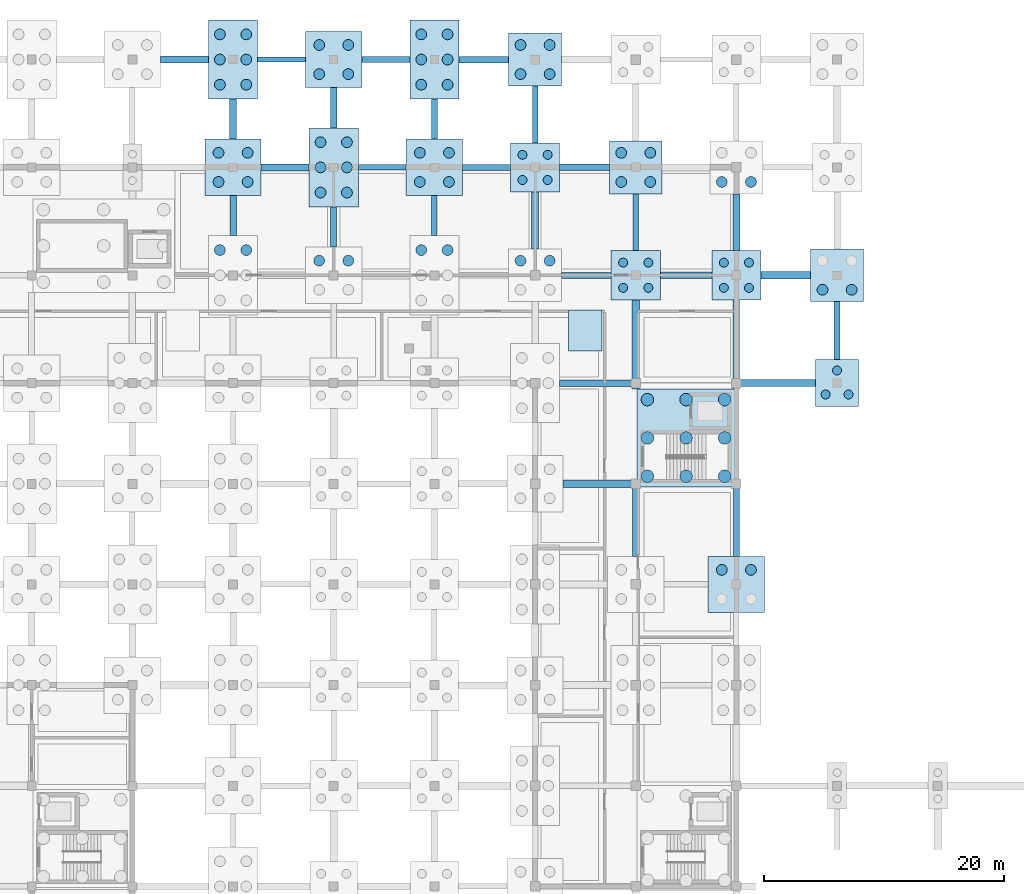
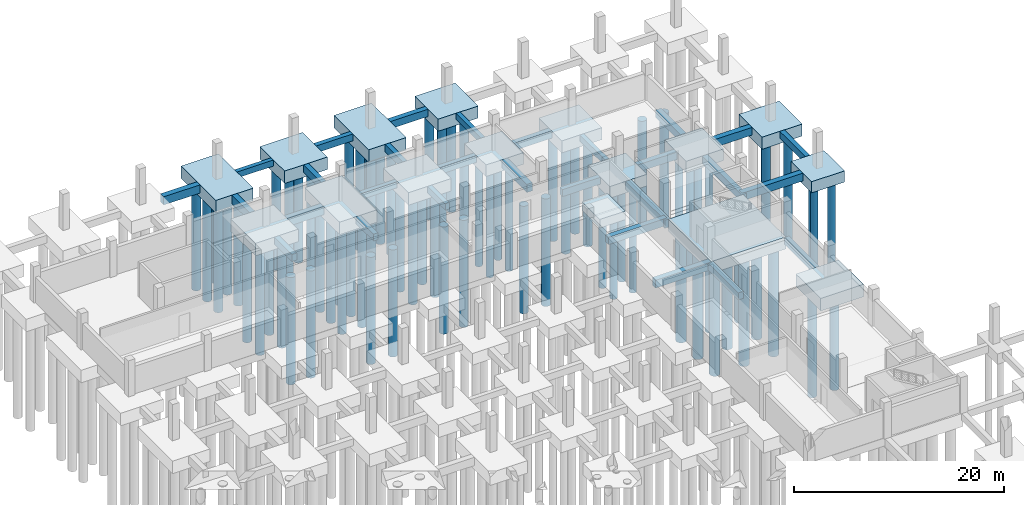
# One storey, part 8 of 20: 76 piles, 45 footings.
"""IFC4 building model written with IfcOpenShell, lengths in metres."""

from ifc_helpers import new_model, si_unit, direction, frame, origin, origin_2d, place, context, subcontext, project, spatial, rectangle, circle, extrude, material, material_profile, profile_set, type_object, element, save


model = new_model("IFC4")

# Units and contexts
model_context = context("Model", 3, precision=1e-05, world=origin(), true_north=direction((0.0, 1.0)))
body_context = subcontext(model_context, "Body", "Model", "MODEL_VIEW")
ifc_project = project(units=[si_unit("LENGTHUNIT", "METRE"), si_unit("AREAUNIT", "SQUARE_METRE"), si_unit("VOLUMEUNIT", "CUBIC_METRE"), si_unit("PLANEANGLEUNIT", "RADIAN"), si_unit("MASSUNIT", "GRAM", prefix="KILO")], contexts=[model_context])

# Site, building, storey
site_placement = place(None, origin())
site = spatial("IfcSite", under=ifc_project, at=site_placement, CompositionType="ELEMENT")
building_placement = place(site_placement, origin())
building = spatial("IfcBuilding", under=site, at=building_placement, Name="Vireocrest Preparatory School", CompositionType="ELEMENT")
storey_placement = place(building_placement, frame((0.0, 0.0, -4.199951171875)))
storey = spatial("IfcBuildingStorey", under=building, at=storey_placement, Name="B01", CompositionType="ELEMENT", Elevation=-4.199951171875)

# Piles
ifc_material = material(Name="Concrete 40 MPa", Category="concrete")
ifc_material_profile_1 = material_profile(ifc_material, circle(Radius=0.52490234375, at=origin_2d()), Name="BORED PILE 1050")
ifc_profile_set_1 = profile_set([ifc_material_profile_1], Name="Concrete 40 MPa")
pile_type_1 = type_object("IfcPileType", Name="Bored Concrete Pile 1050", PredefinedType="BORED", material=ifc_profile_set_1)
for number, where, z_axis, x_axis, name in (
    (1, (101.77490234375, 78.02490234375, -1.300048828125), (0.0, 0.0, -1.0), (1.0, 0.0, 0.0), "Bored Pile P04 Core K4-1"),
    (2, (101.77490234375, 81.22509765625, -1.300048828125), (0.0, 0.0, -1.0), (1.0, 0.0, 0.0), "Bored Pile P04 Core K4-2"),
    (3, (101.77490234375, 84.425048828125, -1.300048828125), (0.0, 0.0, -1.0), (1.0, 0.0, 0.0), "Bored Pile P04 Core K4-3"),
    (4, (105.0, 78.02490234375, -1.300048828125), (0.0, 0.0, -1.0), (1.0, 0.0, 0.0), "Bored Pile P04 Core K4-4"),
    (5, (105.0, 81.22509765625, -1.300048828125), (0.0, 0.0, -1.0), (1.0, 0.0, 0.0), "Bored Pile P04 Core K4-5"),
    (6, (105.0, 84.425048828125, -1.300048828125), (0.0, 0.0, -1.0), (1.0, 0.0, 0.0), "Bored Pile P04 Core K4-6"),
    (7, (108.22509765625, 78.02490234375, -1.300048828125), (0.0, 0.0, -1.0), (1.0, 0.0, 0.0), "Bored Pile P04 Core K4-7"),
    (8, (108.22509765625, 81.22509765625, -1.300048828125), (0.0, 0.0, -1.0), (1.0, 0.0, 0.0), "Bored Pile P04 Core K4-8"),
    (9, (108.22509765625, 84.425048828125, -1.300048828125), (0.0, 0.0, -1.0), (1.0, 0.0, 0.0), "Bored Pile P04 Core K4-9"),
):
    element("IfcPile", number, at=place(storey_placement, frame(where, z_axis=z_axis, x_axis=x_axis)), inside=storey, type_object=pile_type_1, Name=name, PredefinedType="BORED", context=body_context, shape_type="SweptSolid", body=[
        extrude(circle(Radius=0.52490234375, at=origin_2d()), origin(), (0.0, 0.0, 1.0), 12.5),
    ])
ifc_material_profile_2 = material_profile(ifc_material, circle(Radius=0.375, at=origin_2d()), Name="BORED PILE 750")
ifc_profile_set_2 = profile_set([ifc_material_profile_2], Name="Concrete 40 MPa")
pile_type_2 = type_object("IfcPileType", Name="Bored Concrete Pile 750", PredefinedType="BORED", material=ifc_profile_set_2)
for number, where, z_axis, x_axis, name in (
    (10, (91.35009765625, 102.75, -1.25), (0.0, 0.0, -1.0), (1.0, 0.0, 0.0), "Bored Pile P02 111-1"),
    (11, (93.449951171875, 102.75, -1.25), (0.0, 0.0, -1.0), (1.0, 0.0, 0.0), "Bored Pile P02 111-2"),
    (12, (91.35009765625, 104.85009765625, -1.25), (0.0, 0.0, -1.0), (1.0, 0.0, 0.0), "Bored Pile P02 111-3"),
    (13, (93.449951171875, 104.85009765625, -1.25), (0.0, 0.0, -1.0), (1.0, 0.0, 0.0), "Bored Pile P02 111-4"),
    (14, (99.75, 93.75, -1.25), (0.0, 0.0, -1.0), (1.0, 0.0, 0.0), "Bored Pile P02 123-1"),
    (15, (101.85009765625, 93.75, -1.25), (0.0, 0.0, -1.0), (1.0, 0.0, 0.0), "Bored Pile P02 123-2"),
    (16, (99.75, 95.85009765625, -1.25), (0.0, 0.0, -1.0), (1.0, 0.0, 0.0), "Bored Pile P02 123-3"),
    (17, (101.85009765625, 95.85009765625, -1.25), (0.0, 0.0, -1.0), (1.0, 0.0, 0.0), "Bored Pile P02 123-4"),
    (18, (108.14990234375, 93.75, -1.25), (0.0, 0.0, -1.0), (1.0, 0.0, 0.0), "Bored Pile P02 137-1"),
    (19, (110.25, 93.75, -1.25), (0.0, 0.0, -1.0), (1.0, 0.0, 0.0), "Bored Pile P02 137-2"),
    (20, (108.14990234375, 95.85009765625, -1.25), (0.0, 0.0, -1.0), (1.0, 0.0, 0.0), "Bored Pile P02 137-3"),
    (21, (110.25, 95.85009765625, -1.25), (0.0, 0.0, -1.0), (1.0, 0.0, 0.0), "Bored Pile P02 137-4"),
):
    element("IfcPile", number, at=place(storey_placement, frame(where, z_axis=z_axis, x_axis=x_axis)), inside=storey, type_object=pile_type_2, Name=name, PredefinedType="BORED", context=body_context, shape_type="SweptSolid", body=[
        extrude(circle(Radius=0.375, at=origin_2d()), origin(), (0.0, 0.0, 1.0), 12.550048828125),
    ])
for number, where, z_axis, x_axis, name in (
    (22, (116.64990234375, 84.85009765625, -1.199951171875), (0.0, 0.0, -1.0), (1.0, 0.0, 0.0), "Bored Pile P02 145-1"),
    (23, (118.550048828125, 84.85009765625, -1.199951171875), (0.0, 0.0, -1.0), (1.0, 0.0, 0.0), "Bored Pile P02 145-2"),
    (24, (117.60009765625, 86.85009765625, -1.199951171875), (0.0, 0.0, -1.0), (1.0, 0.0, 0.0), "Bored Pile P02 145-3"),
):
    element("IfcPile", number, at=place(storey_placement, frame(where, z_axis=z_axis, x_axis=x_axis)), inside=storey, type_object=pile_type_2, Name=name, PredefinedType="BORED", context=body_context, shape_type="SweptSolid", body=[
        extrude(circle(Radius=0.375, at=origin_2d()), origin(), (0.0, 0.0, 1.0), 12.60009765625),
    ])
ifc_material_profile_3 = material_profile(ifc_material, circle(Radius=0.449951171875, at=origin_2d()), Name="BORED PILE 900")
ifc_profile_set_3 = profile_set([ifc_material_profile_3], Name="Concrete 40 MPa")
pile_type_3 = type_object("IfcPileType", Name="Bored Concrete Pile 900", PredefinedType="BORED", material=ifc_profile_set_3)
for number, where, z_axis, x_axis, name in (
    (25, (66.10009765625, 96.89990234375, -1.35009765625), (0.0, 0.0, -1.0), (1.0, 0.0, 0.0), "Bored Pile P03 071-5"),
    (26, (68.300048828125, 96.89990234375, -1.35009765625), (0.0, 0.0, -1.0), (1.0, 0.0, 0.0), "Bored Pile P03 071-6"),
    (27, (65.985107421875, 102.5849609375, -1.35009765625), (0.0, 0.0, -1.0), (1.0, 0.0, 0.0), "Bored Pile P03 072-1"),
    (28, (68.4150390625, 102.5849609375, -1.35009765625), (0.0, 0.0, -1.0), (1.0, 0.0, 0.0), "Bored Pile P03 072-2"),
    (29, (65.985107421875, 105.014892578125, -1.35009765625), (0.0, 0.0, -1.0), (1.0, 0.0, 0.0), "Bored Pile P03 072-3"),
    (30, (68.4150390625, 105.014892578125, -1.35009765625), (0.0, 0.0, -1.0), (1.0, 0.0, 0.0), "Bored Pile P03 072-4"),
    (31, (66.10009765625, 110.699951171875, -1.35009765625), (0.0, 0.0, -1.0), (1.0, 0.0, 0.0), "Bored Pile P03 073-1"),
    (32, (68.300048828125, 110.699951171875, -1.35009765625), (0.0, 0.0, -1.0), (1.0, 0.0, 0.0), "Bored Pile P03 073-2"),
    (33, (66.10009765625, 112.800048828125, -1.35009765625), (0.0, 0.0, -1.0), (1.0, 0.0, 0.0), "Bored Pile P03 073-3"),
    (34, (68.300048828125, 112.800048828125, -1.35009765625), (0.0, 0.0, -1.0), (1.0, 0.0, 0.0), "Bored Pile P03 073-4"),
    (35, (66.10009765625, 114.89990234375, -1.35009765625), (0.0, 0.0, -1.0), (1.0, 0.0, 0.0), "Bored Pile P03 073-5"),
    (36, (68.300048828125, 114.89990234375, -1.35009765625), (0.0, 0.0, -1.0), (1.0, 0.0, 0.0), "Bored Pile P03 073-6"),
    (37, (74.385009765625, 96.014892578125, -1.35009765625), (0.0, 0.0, -1.0), (1.0, 0.0, 0.0), "Bored Pile P03 084-3"),
    (38, (76.81494140625, 96.014892578125, -1.35009765625), (0.0, 0.0, -1.0), (1.0, 0.0, 0.0), "Bored Pile P03 084-4"),
    (39, (74.5, 101.699951171875, -1.35009765625), (0.0, 0.0, -1.0), (1.0, 0.0, 0.0), "Bored Pile P03 085-1"),
    (40, (76.699951171875, 101.699951171875, -1.35009765625), (0.0, 0.0, -1.0), (1.0, 0.0, 0.0), "Bored Pile P03 085-2"),
    (41, (74.5, 103.800048828125, -1.35009765625), (0.0, 0.0, -1.0), (1.0, 0.0, 0.0), "Bored Pile P03 085-3"),
    (42, (76.699951171875, 103.800048828125, -1.35009765625), (0.0, 0.0, -1.0), (1.0, 0.0, 0.0), "Bored Pile P03 085-4"),
    (43, (74.5, 105.89990234375, -1.35009765625), (0.0, 0.0, -1.0), (1.0, 0.0, 0.0), "Bored Pile P03 085-5"),
    (44, (76.699951171875, 105.89990234375, -1.35009765625), (0.0, 0.0, -1.0), (1.0, 0.0, 0.0), "Bored Pile P03 085-6"),
    (45, (74.385009765625, 111.5849609375, -1.35009765625), (0.0, 0.0, -1.0), (1.0, 0.0, 0.0), "Bored Pile P03 086-1"),
    (46, (76.81494140625, 111.5849609375, -1.35009765625), (0.0, 0.0, -1.0), (1.0, 0.0, 0.0), "Bored Pile P03 086-2"),
    (47, (74.385009765625, 114.014892578125, -1.35009765625), (0.0, 0.0, -1.0), (1.0, 0.0, 0.0), "Bored Pile P03 086-3"),
    (48, (76.81494140625, 114.014892578125, -1.35009765625), (0.0, 0.0, -1.0), (1.0, 0.0, 0.0), "Bored Pile P03 086-4"),
    (49, (82.89990234375, 96.89990234375, -1.35009765625), (0.0, 0.0, -1.0), (1.0, 0.0, 0.0), "Bored Pile P03 097-5"),
    (50, (85.10009765625, 96.89990234375, -1.35009765625), (0.0, 0.0, -1.0), (1.0, 0.0, 0.0), "Bored Pile P03 097-6"),
    (51, (82.784912109375, 102.5849609375, -1.35009765625), (0.0, 0.0, -1.0), (1.0, 0.0, 0.0), "Bored Pile P03 098-1"),
    (52, (85.215087890625, 102.5849609375, -1.35009765625), (0.0, 0.0, -1.0), (1.0, 0.0, 0.0), "Bored Pile P03 098-2"),
    (53, (82.784912109375, 105.014892578125, -1.35009765625), (0.0, 0.0, -1.0), (1.0, 0.0, 0.0), "Bored Pile P03 098-3"),
    (54, (85.215087890625, 105.014892578125, -1.35009765625), (0.0, 0.0, -1.0), (1.0, 0.0, 0.0), "Bored Pile P03 098-4"),
    (55, (82.89990234375, 110.699951171875, -1.35009765625), (0.0, 0.0, -1.0), (1.0, 0.0, 0.0), "Bored Pile P03 099-1"),
    (56, (85.10009765625, 110.699951171875, -1.35009765625), (0.0, 0.0, -1.0), (1.0, 0.0, 0.0), "Bored Pile P03 099-2"),
    (57, (82.89990234375, 112.800048828125, -1.35009765625), (0.0, 0.0, -1.0), (1.0, 0.0, 0.0), "Bored Pile P03 099-3"),
    (58, (85.10009765625, 112.800048828125, -1.35009765625), (0.0, 0.0, -1.0), (1.0, 0.0, 0.0), "Bored Pile P03 099-4"),
    (59, (82.89990234375, 114.89990234375, -1.35009765625), (0.0, 0.0, -1.0), (1.0, 0.0, 0.0), "Bored Pile P03 099-5"),
    (60, (85.10009765625, 114.89990234375, -1.35009765625), (0.0, 0.0, -1.0), (1.0, 0.0, 0.0), "Bored Pile P03 099-6"),
):
    element("IfcPile", number, at=place(storey_placement, frame(where, z_axis=z_axis, x_axis=x_axis)), inside=storey, type_object=pile_type_3, Name=name, PredefinedType="BORED", context=body_context, shape_type="SweptSolid", body=[
        extrude(circle(Radius=0.449951171875, at=origin_2d()), origin(), (0.0, 0.0, 1.0), 12.449951171875),
    ])
for number, where, z_axis, x_axis, name in (
    (61, (91.18505859375, 96.014892578125, -1.300048828125), (0.0, 0.0, -1.0), (1.0, 0.0, 0.0), "Bored Pile P03 110-3"),
    (62, (93.614990234375, 96.014892578125, -1.300048828125), (0.0, 0.0, -1.0), (1.0, 0.0, 0.0), "Bored Pile P03 110-4"),
    (63, (91.18505859375, 111.5849609375, -1.300048828125), (0.0, 0.0, -1.0), (1.0, 0.0, 0.0), "Bored Pile P03 112-1"),
    (64, (93.614990234375, 111.5849609375, -1.300048828125), (0.0, 0.0, -1.0), (1.0, 0.0, 0.0), "Bored Pile P03 112-2"),
    (65, (91.18505859375, 114.014892578125, -1.300048828125), (0.0, 0.0, -1.0), (1.0, 0.0, 0.0), "Bored Pile P03 112-3"),
    (66, (93.614990234375, 114.014892578125, -1.300048828125), (0.0, 0.0, -1.0), (1.0, 0.0, 0.0), "Bored Pile P03 112-4"),
    (67, (99.5849609375, 102.5849609375, -1.300048828125), (0.0, 0.0, -1.0), (1.0, 0.0, 0.0), "Bored Pile P03 124-1"),
    (68, (102.014892578125, 102.5849609375, -1.300048828125), (0.0, 0.0, -1.0), (1.0, 0.0, 0.0), "Bored Pile P03 124-2"),
    (69, (99.5849609375, 105.014892578125, -1.300048828125), (0.0, 0.0, -1.0), (1.0, 0.0, 0.0), "Bored Pile P03 124-3"),
    (70, (102.014892578125, 105.014892578125, -1.300048828125), (0.0, 0.0, -1.0), (1.0, 0.0, 0.0), "Bored Pile P03 124-4"),
):
    element("IfcPile", number, at=place(storey_placement, frame(where, z_axis=z_axis, x_axis=x_axis)), inside=storey, type_object=pile_type_3, Name=name, PredefinedType="BORED", context=body_context, shape_type="SweptSolid", body=[
        extrude(circle(Radius=0.449951171875, at=origin_2d()), origin(), (0.0, 0.0, 1.0), 12.5),
    ])
for number, where, z_axis, x_axis, name in (
    (71, (107.985107421875, 70.215087890625, -1.35009765625), (0.0, 0.0, -1.0), (1.0, 0.0, 0.0), "Bored Pile P03 134-3"),
    (72, (110.4150390625, 70.215087890625, -1.35009765625), (0.0, 0.0, -1.0), (1.0, 0.0, 0.0), "Bored Pile P03 134-4"),
):
    element("IfcPile", number, at=place(storey_placement, frame(where, z_axis=z_axis, x_axis=x_axis)), inside=storey, type_object=pile_type_3, Name=name, PredefinedType="BORED", context=body_context, shape_type="SweptSolid", body=[
        extrude(circle(Radius=0.449951171875, at=origin_2d()), origin(), (0.0, 0.0, 1.0), 12.449951171875),
    ])
for number, where, z_axis, x_axis, name in (
    (73, (107.985107421875, 102.5849609375, -1.300048828125), (0.0, 0.0, -1.0), (1.0, 0.0, 0.0), "Bored Pile P03 138-1"),
    (74, (110.4150390625, 102.5849609375, -1.300048828125), (0.0, 0.0, -1.0), (1.0, 0.0, 0.0), "Bored Pile P03 138-2"),
    (75, (116.385009765625, 93.5849609375, -1.300048828125), (0.0, 0.0, -1.0), (1.0, 0.0, 0.0), "Bored Pile P03 146-1"),
    (76, (118.81494140625, 93.5849609375, -1.300048828125), (0.0, 0.0, -1.0), (1.0, 0.0, 0.0), "Bored Pile P03 146-2"),
):
    element("IfcPile", number, at=place(storey_placement, frame(where, z_axis=z_axis, x_axis=x_axis)), inside=storey, type_object=pile_type_3, Name=name, PredefinedType="BORED", context=body_context, shape_type="SweptSolid", body=[
        extrude(circle(Radius=0.449951171875, at=origin_2d()), origin(), (0.0, 0.0, 1.0), 12.5),
    ])

# Footings
footing_type_1 = type_object("IfcFootingType", Name="Combined Core Pile Cap 6800x7400x1400", PredefinedType="PILE_CAP", material=ifc_material)
footing_1_placement = place(storey_placement, frame((105.0, 81.22509765625, -1.39990234375), z_axis=(0.0, 0.0, 1.0), x_axis=(1.0, 0.0, 0.0)))
element("IfcFooting", 77, at=footing_1_placement, inside=storey, type_object=footing_type_1, Name="Combined Core Pile Cap K4", PredefinedType="PILE_CAP", context=body_context, shape_type="SweptSolid", body=[
    extrude(rectangle(XDim=8.199951171875, YDim=8.14990234375, at=origin_2d()), origin(), (0.0, 0.0, 1.0), 1.39990234375),
])
footing_type_2 = type_object("IfcFootingType", Name="Four-Pile Cap 4100x4100x1350", PredefinedType="PILE_CAP", material=ifc_material)
for number, where, z_axis, x_axis, name in (
    (78, (92.39990234375, 103.800048828125, -1.35009765625), (0.0, 0.0, 1.0), (1.0, 0.0, 0.0), "Pile Cap PC06 at (92.4, 103.8)"),
    (79, (100.800048828125, 94.800048828125, -1.35009765625), (0.0, 0.0, 1.0), (1.0, 0.0, 0.0), "Pile Cap PC06 at (100.8, 94.8)"),
    (80, (109.199951171875, 94.800048828125, -1.35009765625), (0.0, 0.0, 1.0), (1.0, 0.0, 0.0), "Pile Cap PC06 at (109.2, 94.8)"),
):
    element("IfcFooting", number, at=place(storey_placement, frame(where, z_axis=z_axis, x_axis=x_axis)), inside=storey, type_object=footing_type_2, Name=name, PredefinedType="PILE_CAP", context=body_context, shape_type="SweptSolid", body=[
        extrude(rectangle(XDim=4.10009765625, YDim=4.10009765625, at=origin_2d()), origin(), (0.0, 0.0, 1.0), 1.35009765625),
    ])
footing_type_3 = type_object("IfcFootingType", Name="Four-Pile Cap 4400x4400x1400", PredefinedType="PILE_CAP", material=ifc_material)
for number, where, z_axis, x_axis, name in (
    (81, (92.39990234375, 112.800048828125, -1.39990234375), (0.0, 0.0, 1.0), (1.0, 0.0, 0.0), "Pile Cap PC07 at (92.4, 112.8)"),
    (82, (100.800048828125, 103.800048828125, -1.39990234375), (0.0, 0.0, 1.0), (1.0, 0.0, 0.0), "Pile Cap PC07 at (100.8, 103.8)"),
    (83, (117.60009765625, 94.800048828125, -1.39990234375), (0.0, 0.0, 1.0), (1.0, 0.0, 0.0), "Pile Cap PC07 at (117.6, 94.8)"),
):
    element("IfcFooting", number, at=place(storey_placement, frame(where, z_axis=z_axis, x_axis=x_axis)), inside=storey, type_object=footing_type_3, Name=name, PredefinedType="PILE_CAP", context=body_context, shape_type="SweptSolid", body=[
        extrude(rectangle(XDim=4.39990234375, YDim=4.39990234375, at=origin_2d()), origin(), (0.0, 0.0, 1.0), 1.39990234375),
    ])
footing_type_4 = type_object("IfcFootingType", Name="Four-Pile Cap 4700x4700x1450", PredefinedType="PILE_CAP", material=ifc_material)
for number, where, z_axis, x_axis, name in (
    (84, (67.199951171875, 103.800048828125, -1.4501953125), (0.0, 0.0, 1.0), (1.0, 0.0, 0.0), "Pile Cap PC08 at (67.2, 103.8)"),
    (85, (75.60009765625, 112.800048828125, -1.4501953125), (0.0, 0.0, 1.0), (1.0, 0.0, 0.0), "Pile Cap PC08 at (75.6, 112.8)"),
    (86, (84.0, 103.800048828125, -1.4501953125), (0.0, 0.0, 1.0), (1.0, 0.0, 0.0), "Pile Cap PC08 at (84.0, 103.8)"),
    (87, (109.199951171875, 69.0, -1.4501953125), (0.0, 0.0, 1.0), (1.0, 0.0, 0.0), "Pile Cap PC08 at (109.2, 69.0)"),
):
    element("IfcFooting", number, at=place(storey_placement, frame(where, z_axis=z_axis, x_axis=x_axis)), inside=storey, type_object=footing_type_4, Name=name, PredefinedType="PILE_CAP", context=body_context, shape_type="SweptSolid", body=[
        extrude(rectangle(XDim=4.699951171875, YDim=4.699951171875, at=origin_2d()), origin(), (0.0, 0.0, 1.0), 1.449951171875),
    ])
footing_type_5 = type_object("IfcFootingType", Name="Plant Equipment Plinth Footing 2800x3400x1000", PredefinedType="PAD_FOOTING", material=ifc_material)
footing_2_placement = place(storey_placement, frame((96.60009765625, 90.199951171875, -1.0), z_axis=(0.0, 0.0, 1.0), x_axis=(1.0, 0.0, 0.0)))
element("IfcFooting", 88, at=footing_2_placement, inside=storey, type_object=footing_type_5, Name="Pad Footing PF04-08", PredefinedType="PAD_FOOTING", context=body_context, shape_type="SweptSolid", body=[
    extrude(rectangle(XDim=2.800048828125, YDim=3.39990234375, at=origin_2d()), origin(), (0.0, 0.0, 1.0), 1.0),
])
ifc_material_profile_4 = material_profile(ifc_material, rectangle(XDim=0.550048828125, YDim=0.800048828125, at=origin_2d()), Name="GB 550x800")
ifc_profile_set_4 = profile_set([ifc_material_profile_4], Name="Concrete 40 MPa")
footing_type_6 = type_object("IfcFootingType", Name="RC Court Tie Beam 550x800", PredefinedType="FOOTING_BEAM", material=ifc_profile_set_4)
footing_3_placement = place(storey_placement, frame((67.199951171875, 98.10009765625, -0.400146484375), z_axis=(0.0, 1.0, 0.0), x_axis=(-1.0, 0.0, 0.0)))
element("IfcFooting", 89, at=footing_3_placement, inside=storey, type_object=footing_type_6, Name="Foundation Grade Beam GB06-198", PredefinedType="FOOTING_BEAM", context=body_context, shape_type="SweptSolid", body=[
    extrude(rectangle(XDim=0.550048828125, YDim=0.800048828125, at=origin_2d()), origin(), (0.0, 0.0, 1.0), 3.349853515625),
])
footing_4_placement = place(storey_placement, frame((100.800048828125, 71.35009765625, -0.400146484375), z_axis=(0.0, 1.0, 0.0), x_axis=(-1.0, 0.0, 0.0)))
element("IfcFooting", 90, at=footing_4_placement, inside=storey, type_object=footing_type_6, Name="Foundation Grade Beam GB06-238", PredefinedType="FOOTING_BEAM", context=body_context, shape_type="SweptSolid", body=[
    extrude(rectangle(XDim=0.550048828125, YDim=0.800048828125, at=origin_2d()), origin(), (0.0, 0.0, 1.0), 5.7998046875),
])
ifc_material_profile_5 = material_profile(ifc_material, rectangle(XDim=0.5, YDim=0.800048828125, at=origin_2d()), Name="GB 500x800")
ifc_profile_set_5 = profile_set([ifc_material_profile_5], Name="Concrete 40 MPa")
footing_type_7 = type_object("IfcFootingType", Name="RC Foundation Grade Beam 500x800", PredefinedType="FOOTING_BEAM", material=ifc_profile_set_5)
footing_5_placement = place(storey_placement, frame((94.60009765625, 94.800048828125, -0.400146484375), z_axis=(1.0, 0.0, 0.0), x_axis=(0.0, 1.0, 0.0)))
element("IfcFooting", 91, at=footing_5_placement, inside=storey, type_object=footing_type_7, Name="Foundation Grade Beam GB01-121", PredefinedType="FOOTING_BEAM", context=body_context, shape_type="SweptSolid", body=[
    extrude(rectangle(XDim=0.5, YDim=0.800048828125, at=origin_2d()), origin(), (0.0, 0.0, 1.0), 4.14990234375),
])
for number, where, z_axis, x_axis, name in (
    (92, (86.35009765625, 103.800048828125, -0.400146484375), (1.0, 0.0, 0.0), (0.0, 1.0, 0.0), "Foundation Grade Beam GB01-129"),
    (93, (77.949951171875, 112.800048828125, -0.400146484375), (1.0, 0.0, 0.0), (0.0, 1.0, 0.0), "Foundation Grade Beam GB01-137"),
):
    element("IfcFooting", number, at=place(storey_placement, frame(where, z_axis=z_axis, x_axis=x_axis)), inside=storey, type_object=footing_type_7, Name=name, PredefinedType="FOOTING_BEAM", context=body_context, shape_type="SweptSolid", body=[
        extrude(rectangle(XDim=0.5, YDim=0.800048828125, at=origin_2d()), origin(), (0.0, 0.0, 1.0), 4.0),
    ])
footing_6_placement = place(storey_placement, frame((75.60009765625, 97.14990234375, -0.400146484375), z_axis=(0.0, 1.0, 0.0), x_axis=(-1.0, 0.0, 0.0)))
element("IfcFooting", 94, at=footing_6_placement, inside=storey, type_object=footing_type_7, Name="Foundation Grade Beam GB01-209", PredefinedType="FOOTING_BEAM", context=body_context, shape_type="SweptSolid", body=[
    extrude(rectangle(XDim=0.5, YDim=0.800048828125, at=origin_2d()), origin(), (0.0, 0.0, 1.0), 3.35009765625),
])
footing_7_placement = place(storey_placement, frame((109.199951171875, 71.35009765625, -0.400146484375), z_axis=(0.0, 1.0, 0.0), x_axis=(-1.0, 0.0, 0.0)))
element("IfcFooting", 95, at=footing_7_placement, inside=storey, type_object=footing_type_7, Name="Foundation Grade Beam GB01-249", PredefinedType="FOOTING_BEAM", context=body_context, shape_type="SweptSolid", body=[
    extrude(rectangle(XDim=0.5, YDim=0.800048828125, at=origin_2d()), origin(), (0.0, 0.0, 1.0), 5.7998046875),
])
footing_8_placement = place(storey_placement, frame((117.60009765625, 87.75, -0.400146484375), z_axis=(0.0, 1.0, 0.0), x_axis=(-1.0, 0.0, 0.0)))
element("IfcFooting", 96, at=footing_8_placement, inside=storey, type_object=footing_type_7, Name="Foundation Grade Beam GB01-257", PredefinedType="FOOTING_BEAM", context=body_context, shape_type="SweptSolid", body=[
    extrude(rectangle(XDim=0.5, YDim=0.800048828125, at=origin_2d()), origin(), (0.0, 0.0, 1.0), 4.85009765625),
])
ifc_material_profile_6 = material_profile(ifc_material, rectangle(XDim=0.550048828125, YDim=0.85009765625, at=origin_2d()), Name="GB 550x850")
ifc_profile_set_6 = profile_set([ifc_material_profile_6], Name="Concrete 40 MPa")
footing_type_8 = type_object("IfcFootingType", Name="RC Foundation Grade Beam 550x850", PredefinedType="FOOTING_BEAM", material=ifc_profile_set_6)
footing_9_placement = place(storey_placement, frame((94.449951171875, 85.800048828125, -0.425048828125), z_axis=(1.0, 0.0, 0.0), x_axis=(0.0, 1.0, 0.0)))
element("IfcFooting", 97, at=footing_9_placement, inside=storey, type_object=footing_type_8, Name="Foundation Grade Beam GB02-114", PredefinedType="FOOTING_BEAM", context=body_context, shape_type="SweptSolid", body=[
    extrude(rectangle(XDim=0.550048828125, YDim=0.85009765625, at=origin_2d()), origin(), (0.0, 0.0, 1.0), 6.449951171875),
])
footing_10_placement = place(storey_placement, frame((102.85009765625, 94.800048828125, -0.425048828125), z_axis=(1.0, 0.0, 0.0), x_axis=(0.0, 1.0, 0.0)))
element("IfcFooting", 98, at=footing_10_placement, inside=storey, type_object=footing_type_8, Name="Foundation Grade Beam GB02-122", PredefinedType="FOOTING_BEAM", context=body_context, shape_type="SweptSolid", body=[
    extrude(rectangle(XDim=0.550048828125, YDim=0.85009765625, at=origin_2d()), origin(), (0.0, 0.0, 1.0), 4.2998046875),
])
footing_11_placement = place(storey_placement, frame((94.449951171875, 103.800048828125, -0.425048828125), z_axis=(1.0, 0.0, 0.0), x_axis=(0.0, 1.0, 0.0)))
element("IfcFooting", 99, at=footing_11_placement, inside=storey, type_object=footing_type_8, Name="Foundation Grade Beam GB02-130", PredefinedType="FOOTING_BEAM", context=body_context, shape_type="SweptSolid", body=[
    extrude(rectangle(XDim=0.550048828125, YDim=0.85009765625, at=origin_2d()), origin(), (0.0, 0.0, 1.0), 4.150146484375),
])
footing_12_placement = place(storey_placement, frame((86.050048828125, 112.800048828125, -0.425048828125), z_axis=(1.0, 0.0, 0.0), x_axis=(0.0, 1.0, 0.0)))
element("IfcFooting", 100, at=footing_12_placement, inside=storey, type_object=footing_type_8, Name="Foundation Grade Beam GB02-138", PredefinedType="FOOTING_BEAM", context=body_context, shape_type="SweptSolid", body=[
    extrude(rectangle(XDim=0.550048828125, YDim=0.85009765625, at=origin_2d()), origin(), (0.0, 0.0, 1.0), 4.14990234375),
])
footing_13_placement = place(storey_placement, frame((75.60009765625, 107.10009765625, -0.425048828125), z_axis=(0.0, 1.0, 0.0), x_axis=(-1.0, 0.0, 0.0)))
element("IfcFooting", 101, at=footing_13_placement, inside=storey, type_object=footing_type_8, Name="Foundation Grade Beam GB02-210", PredefinedType="FOOTING_BEAM", context=body_context, shape_type="SweptSolid", body=[
    extrude(rectangle(XDim=0.550048828125, YDim=0.85009765625, at=origin_2d()), origin(), (0.0, 0.0, 1.0), 3.349853515625),
])
footing_14_placement = place(storey_placement, frame((109.199951171875, 85.300048828125, -0.425048828125), z_axis=(0.0, 1.0, 0.0), x_axis=(-1.0, 0.0, 0.0)))
element("IfcFooting", 102, at=footing_14_placement, inside=storey, type_object=footing_type_8, Name="Foundation Grade Beam GB02-250", PredefinedType="FOOTING_BEAM", context=body_context, shape_type="SweptSolid", body=[
    extrude(rectangle(XDim=0.550048828125, YDim=0.85009765625, at=origin_2d()), origin(), (0.0, 0.0, 1.0), 7.449951171875),
])
ifc_material_profile_7 = material_profile(ifc_material, rectangle(XDim=0.60009765625, YDim=0.89990234375, at=origin_2d()), Name="GB 600x900")
ifc_profile_set_7 = profile_set([ifc_material_profile_7], Name="Concrete 40 MPa")
footing_type_9 = type_object("IfcFootingType", Name="RC Foundation Grade Beam 600x900", PredefinedType="FOOTING_BEAM", material=ifc_profile_set_7)
footing_15_placement = place(storey_placement, frame((94.75, 77.39990234375, -0.449951171875), z_axis=(1.0, 0.0, 0.0), x_axis=(0.0, 1.0, 0.0)))
element("IfcFooting", 103, at=footing_15_placement, inside=storey, type_object=footing_type_9, Name="Foundation Grade Beam GB03-107", PredefinedType="FOOTING_BEAM", context=body_context, shape_type="SweptSolid", body=[
    extrude(rectangle(XDim=0.60009765625, YDim=0.89990234375, at=origin_2d()), origin(), (0.0, 0.0, 1.0), 6.14990234375),
])
footing_16_placement = place(storey_placement, frame((109.10009765625, 85.800048828125, -0.449951171875), z_axis=(1.0, 0.0, 0.0), x_axis=(0.0, 1.0, 0.0)))
element("IfcFooting", 104, at=footing_16_placement, inside=storey, type_object=footing_type_9, Name="Foundation Grade Beam GB03-115", PredefinedType="FOOTING_BEAM", context=body_context, shape_type="SweptSolid", body=[
    extrude(rectangle(XDim=0.60009765625, YDim=0.89990234375, at=origin_2d()), origin(), (0.0, 0.0, 1.0), 6.699951171875),
])
footing_17_placement = place(storey_placement, frame((111.25, 94.800048828125, -0.449951171875), z_axis=(1.0, 0.0, 0.0), x_axis=(0.0, 1.0, 0.0)))
element("IfcFooting", 105, at=footing_17_placement, inside=storey, type_object=footing_type_9, Name="Foundation Grade Beam GB03-123", PredefinedType="FOOTING_BEAM", context=body_context, shape_type="SweptSolid", body=[
    extrude(rectangle(XDim=0.60009765625, YDim=0.89990234375, at=origin_2d()), origin(), (0.0, 0.0, 1.0), 4.14990234375),
])
footing_18_placement = place(storey_placement, frame((109.199951171875, 96.85009765625, -0.449951171875), z_axis=(0.0, 1.0, 0.0), x_axis=(-1.0, 0.0, 0.0)))
element("IfcFooting", 106, at=footing_18_placement, inside=storey, type_object=footing_type_9, Name="Foundation Grade Beam GB03-251", PredefinedType="FOOTING_BEAM", context=body_context, shape_type="SweptSolid", body=[
    extrude(rectangle(XDim=0.60009765625, YDim=0.89990234375, at=origin_2d()), origin(), (0.0, 0.0, 1.0), 4.75),
])
ifc_material_profile_8 = material_profile(ifc_material, rectangle(XDim=0.449951171875, YDim=0.75, at=origin_2d()), Name="GB 450x750")
ifc_profile_set_8 = profile_set([ifc_material_profile_8], Name="Concrete 40 MPa")
footing_type_10 = type_object("IfcFootingType", Name="RC Foundation Tie Beam 450x750", PredefinedType="FOOTING_BEAM", material=ifc_profile_set_8)
footing_19_placement = place(storey_placement, frame((84.0, 98.10009765625, -0.375), z_axis=(0.0, 1.0, 0.0), x_axis=(-1.0, 0.0, 0.0)))
element("IfcFooting", 107, at=footing_19_placement, inside=storey, type_object=footing_type_10, Name="Foundation Grade Beam GB04-220", PredefinedType="FOOTING_BEAM", context=body_context, shape_type="SweptSolid", body=[
    extrude(rectangle(XDim=0.449951171875, YDim=0.75, at=origin_2d()), origin(), (0.0, 0.0, 1.0), 3.349853515625),
])
ifc_material_profile_9 = material_profile(ifc_material, rectangle(XDim=0.449951171875, YDim=0.699951171875, at=origin_2d()), Name="GB 450x700")
ifc_profile_set_9 = profile_set([ifc_material_profile_9], Name="Concrete 40 MPa")
footing_type_11 = type_object("IfcFootingType", Name="RC Pavilion Tie Beam 450x700", PredefinedType="FOOTING_BEAM", material=ifc_profile_set_9)
for number, where, z_axis, x_axis, name in (
    (108, (77.64990234375, 103.800048828125, -0.35009765625), (1.0, 0.0, 0.0), (0.0, 1.0, 0.0), "Foundation Grade Beam GB08-128"),
    (109, (69.25, 112.800048828125, -0.35009765625), (1.0, 0.0, 0.0), (0.0, 1.0, 0.0), "Foundation Grade Beam GB08-136"),
):
    element("IfcFooting", number, at=place(storey_placement, frame(where, z_axis=z_axis, x_axis=x_axis)), inside=storey, type_object=footing_type_11, Name=name, PredefinedType="FOOTING_BEAM", context=body_context, shape_type="SweptSolid", body=[
        extrude(rectangle(XDim=0.449951171875, YDim=0.699951171875, at=origin_2d()), origin(), (0.0, 0.0, 1.0), 4.0),
    ])
for number, where, z_axis, x_axis, name in (
    (110, (92.39990234375, 105.85009765625, -0.35009765625), (0.0, 1.0, 0.0), (-1.0, 0.0, 0.0), "Foundation Grade Beam GB08-232"),
    (111, (100.800048828125, 96.85009765625, -0.35009765625), (0.0, 1.0, 0.0), (-1.0, 0.0, 0.0), "Foundation Grade Beam GB08-240"),
):
    element("IfcFooting", number, at=place(storey_placement, frame(where, z_axis=z_axis, x_axis=x_axis)), inside=storey, type_object=footing_type_11, Name=name, PredefinedType="FOOTING_BEAM", context=body_context, shape_type="SweptSolid", body=[
        extrude(rectangle(XDim=0.449951171875, YDim=0.699951171875, at=origin_2d()), origin(), (0.0, 0.0, 1.0), 4.75),
    ])
ifc_material_profile_10 = material_profile(ifc_material, rectangle(XDim=0.5, YDim=0.89990234375, at=origin_2d()), Name="GB 500x900")
ifc_profile_set_10 = profile_set([ifc_material_profile_10], Name="Concrete 40 MPa")
footing_type_12 = type_object("IfcFootingType", Name="RC Perimeter Grade Beam 500x900", PredefinedType="FOOTING_BEAM", material=ifc_profile_set_10)
footing_20_placement = place(storey_placement, frame((84.0, 106.14990234375, -0.449951171875), z_axis=(0.0, 1.0, 0.0), x_axis=(-1.0, 0.0, 0.0)))
element("IfcFooting", 112, at=footing_20_placement, inside=storey, type_object=footing_type_12, Name="Foundation Grade Beam GB05-221", PredefinedType="FOOTING_BEAM", context=body_context, shape_type="SweptSolid", body=[
    extrude(rectangle(XDim=0.5, YDim=0.89990234375, at=origin_2d()), origin(), (0.0, 0.0, 1.0), 3.35009765625),
])
ifc_material_profile_11 = material_profile(ifc_material, rectangle(XDim=0.60009765625, YDim=0.949951171875, at=origin_2d()), Name="GB 600x950")
ifc_profile_set_11 = profile_set([ifc_material_profile_11], Name="Concrete 40 MPa")
footing_type_13 = type_object("IfcFootingType", Name="RC Vault Tie Grade Beam 600x950", PredefinedType="FOOTING_BEAM", material=ifc_profile_set_11)
for number, where, z_axis, x_axis, name in (
    (113, (69.550048828125, 103.800048828125, -0.47509765625), (1.0, 0.0, 0.0), (0.0, 1.0, 0.0), "Foundation Grade Beam GB07-127"),
    (114, (61.14990234375, 112.800048828125, -0.47509765625), (1.0, 0.0, 0.0), (0.0, 1.0, 0.0), "Foundation Grade Beam GB07-135"),
):
    element("IfcFooting", number, at=place(storey_placement, frame(where, z_axis=z_axis, x_axis=x_axis)), inside=storey, type_object=footing_type_13, Name=name, PredefinedType="FOOTING_BEAM", context=body_context, shape_type="SweptSolid", body=[
        extrude(rectangle(XDim=0.60009765625, YDim=0.949951171875, at=origin_2d()), origin(), (0.0, 0.0, 1.0), 4.0),
    ])
footing_21_placement = place(storey_placement, frame((67.199951171875, 106.14990234375, -0.47509765625), z_axis=(0.0, 1.0, 0.0), x_axis=(-1.0, 0.0, 0.0)))
element("IfcFooting", 115, at=footing_21_placement, inside=storey, type_object=footing_type_13, Name="Foundation Grade Beam GB07-199", PredefinedType="FOOTING_BEAM", context=body_context, shape_type="SweptSolid", body=[
    extrude(rectangle(XDim=0.60009765625, YDim=0.949951171875, at=origin_2d()), origin(), (0.0, 0.0, 1.0), 3.35009765625),
])
footing_22_placement = place(storey_placement, frame((92.39990234375, 97.0, -0.47509765625), z_axis=(0.0, 1.0, 0.0), x_axis=(-1.0, 0.0, 0.0)))
element("IfcFooting", 116, at=footing_22_placement, inside=storey, type_object=footing_type_13, Name="Foundation Grade Beam GB07-231", PredefinedType="FOOTING_BEAM", context=body_context, shape_type="SweptSolid", body=[
    extrude(rectangle(XDim=0.60009765625, YDim=0.949951171875, at=origin_2d()), origin(), (0.0, 0.0, 1.0), 4.75),
])
footing_23_placement = place(storey_placement, frame((100.800048828125, 85.300048828125, -0.47509765625), z_axis=(0.0, 1.0, 0.0), x_axis=(-1.0, 0.0, 0.0)))
element("IfcFooting", 117, at=footing_23_placement, inside=storey, type_object=footing_type_13, Name="Foundation Grade Beam GB07-239", PredefinedType="FOOTING_BEAM", context=body_context, shape_type="SweptSolid", body=[
    extrude(rectangle(XDim=0.60009765625, YDim=0.949951171875, at=origin_2d()), origin(), (0.0, 0.0, 1.0), 7.449951171875),
])
footing_type_14 = type_object("IfcFootingType", Name="Six-Pile Rectangular Cap 4100x6600x1450", PredefinedType="PILE_CAP", material=ifc_material)
for number, where, z_axis, x_axis, name in (
    (118, (67.199951171875, 112.800048828125, -1.4501953125), (0.0, 0.0, 1.0), (1.0, 0.0, 0.0), "Pile Cap PC11 at (67.2, 112.8)"),
    (119, (75.60009765625, 103.800048828125, -1.4501953125), (0.0, 0.0, 1.0), (1.0, 0.0, 0.0), "Pile Cap PC11 at (75.6, 103.8)"),
    (120, (84.0, 112.800048828125, -1.4501953125), (0.0, 0.0, 1.0), (1.0, 0.0, 0.0), "Pile Cap PC11 at (84.0, 112.8)"),
):
    element("IfcFooting", number, at=place(storey_placement, frame(where, z_axis=z_axis, x_axis=x_axis)), inside=storey, type_object=footing_type_14, Name=name, PredefinedType="PILE_CAP", context=body_context, shape_type="SweptSolid", body=[
        extrude(rectangle(XDim=4.10009765625, YDim=6.60009765625, at=origin_2d()), origin(), (0.0, 0.0, 1.0), 1.449951171875),
    ])
footing_type_15 = type_object("IfcFootingType", Name="Three-Pile Cap 3600x3900x1300", PredefinedType="PILE_CAP", material=ifc_material)
footing_24_placement = place(storey_placement, frame((117.60009765625, 85.800048828125, -1.30029296875), z_axis=(0.0, 0.0, 1.0), x_axis=(1.0, 0.0, 0.0)))
element("IfcFooting", 121, at=footing_24_placement, inside=storey, type_object=footing_type_15, Name="Pile Cap PC04 at (117.6, 85.8)", PredefinedType="PILE_CAP", context=body_context, shape_type="SweptSolid", body=[
    extrude(rectangle(XDim=3.60009765625, YDim=3.89990234375, at=origin_2d()), origin(), (0.0, 0.0, 1.0), 1.300048828125),
])

save(model, "model.ifc")
